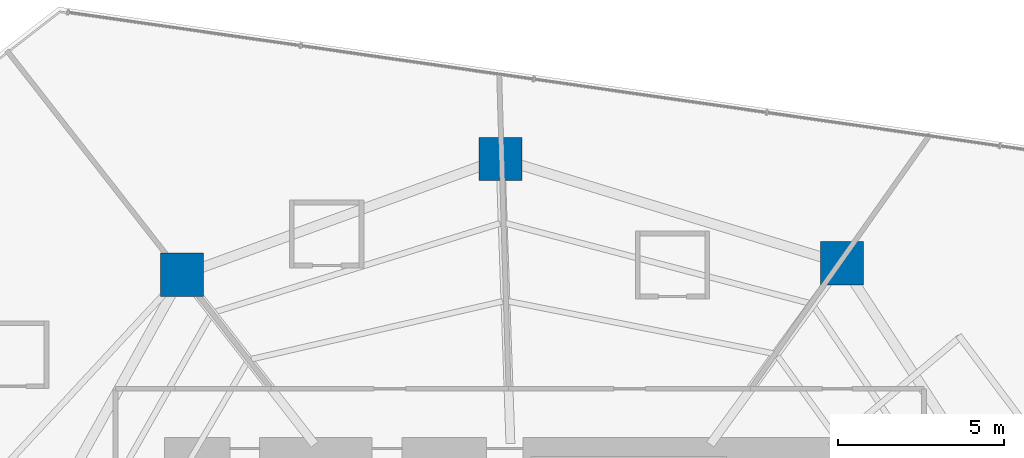
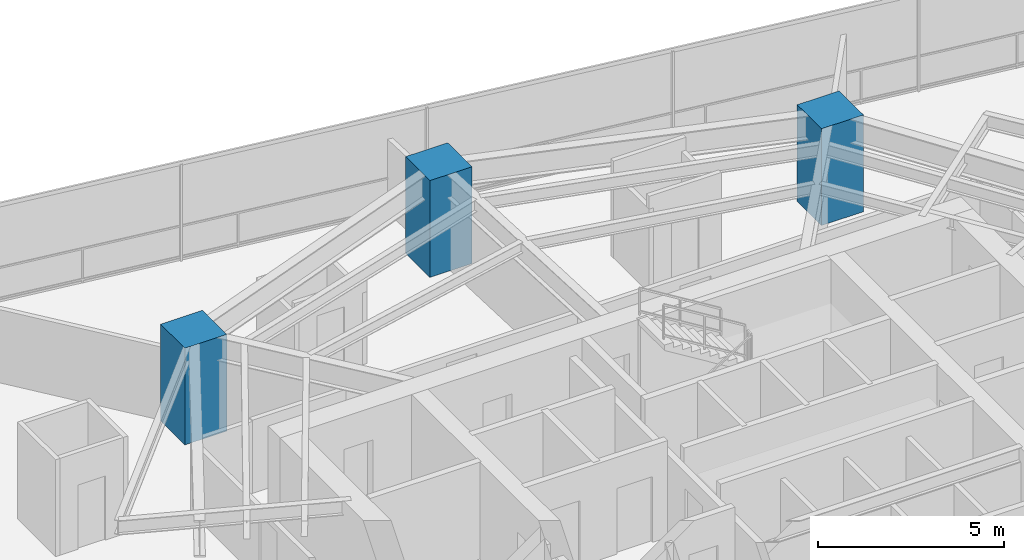
# One storey, part 2 of 32: 3 columns.
"""IFC4 building model written with IfcOpenShell, lengths in metres."""

from ifc_helpers import new_model, si_unit, direction, frame, origin, origin_2d, place, context, subcontext, project, spatial, rectangle, extrude, material, material_profile, profile_set, type_object, element, save


model = new_model("IFC4")

# Units and contexts
model_context = context("Model", 3, precision=1e-05, world=origin(), true_north=direction((0.0, 1.0)))
body_context = subcontext(model_context, "Body", "Model", "MODEL_VIEW")
ifc_project = project(units=[si_unit("LENGTHUNIT", "METRE"), si_unit("AREAUNIT", "SQUARE_METRE"), si_unit("VOLUMEUNIT", "CUBIC_METRE"), si_unit("PLANEANGLEUNIT", "RADIAN"), si_unit("MASSUNIT", "GRAM", prefix="KILO")], contexts=[model_context])

# Site, building, storey
site_placement = place(None, origin())
site = spatial("IfcSite", under=ifc_project, at=site_placement, CompositionType="ELEMENT")
building_placement = place(site_placement, origin())
building = spatial("IfcBuilding", under=site, at=building_placement, Name="Qarnah Convention Tower", CompositionType="ELEMENT")
storey_placement = place(building_placement, frame((0.0, 0.0, 37.35009765625)))
storey = spatial("IfcBuildingStorey", under=building, at=storey_placement, Name="L08", CompositionType="ELEMENT", Elevation=37.35009765625)

# Columns
ifc_material = material(Name="Concrete C60/75", Category="concrete")
ifc_material_profile = material_profile(ifc_material, rectangle(XDim=1.300048828125, YDim=1.300048828125, at=origin_2d()), Name="RC-COL-1300X1300")
ifc_profile_set = profile_set([ifc_material_profile], Name="Concrete C60/75")
column_type = type_object("IfcColumnType", Name="COL-Z1-1300", PredefinedType="COLUMN", material=ifc_profile_set)
for number, where, z_axis, x_axis, name in (
    (1, (46.927978515625, 39.7890625, 0.0), (0.0, 0.0, 1.0), (1.0, 0.0, 0.0), "L08 plumb column PC-Z1-02"),
    (2, (36.6220703125, 42.93994140625, 0.0), (0.0, 0.0, 1.0), (1.0, 0.0, 0.0), "L08 plumb column PC-Z1-03"),
    (3, (27.010986328125, 39.44189453125, 0.0), (0.0, 0.0, 1.0), (1.0, 0.0, 0.0), "L08 plumb column PC-Z1-04"),
):
    element("IfcColumn", number, at=place(storey_placement, frame(where, z_axis=z_axis, x_axis=x_axis)), inside=storey, type_object=column_type, Name=name, PredefinedType="COLUMN", context=body_context, shape_type="SweptSolid", body=[
        extrude(rectangle(XDim=1.300048828125, YDim=1.300048828125, at=origin_2d()), origin(), (0.0, 0.0, 1.0), 3.169921875),
    ])

save(model, "model.ifc")
